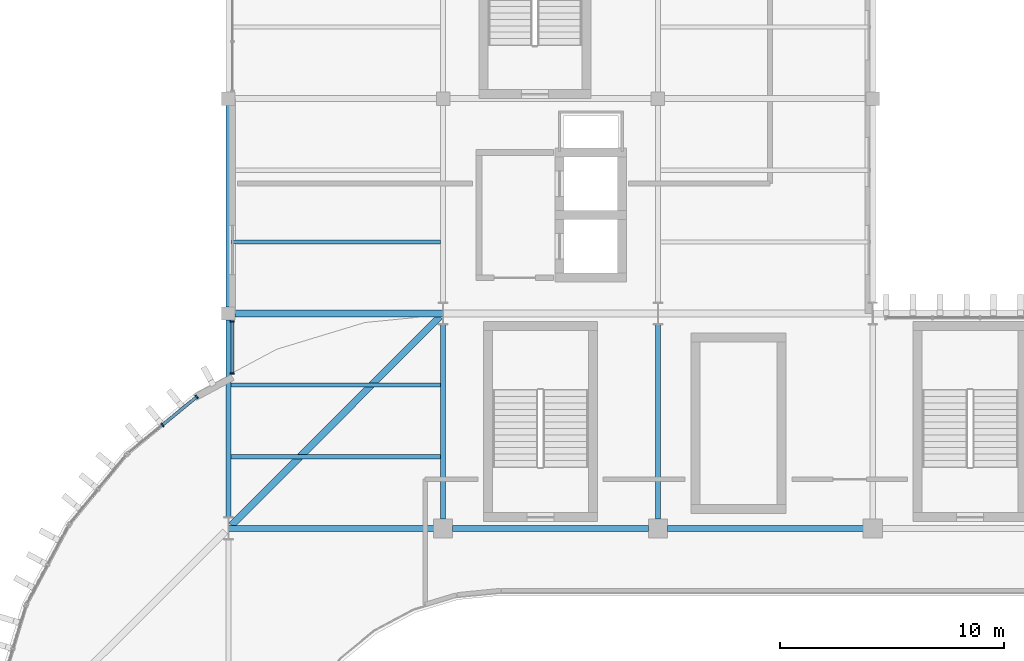
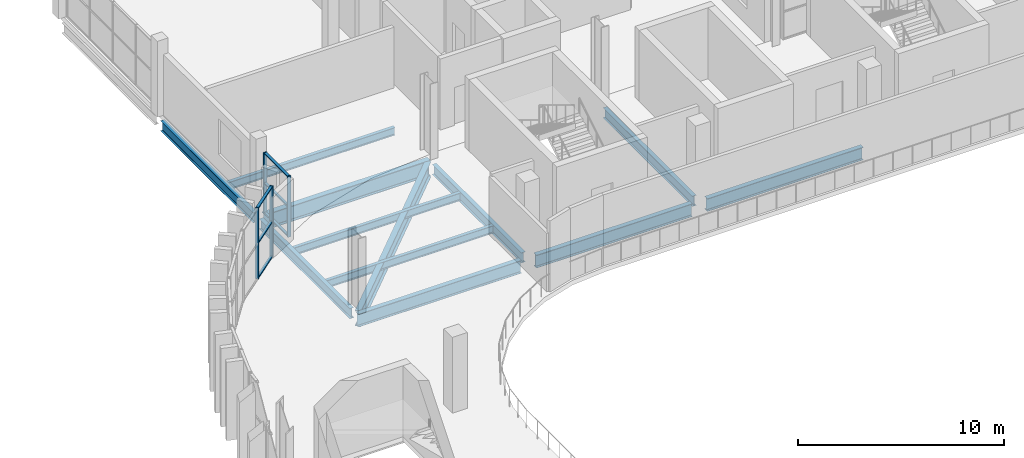
# One storey, part 20 of 92: 12 beams, 10 members, 2 elements without a shape of their own.
"""IFC4 building model written with IfcOpenShell, lengths in metres."""

from ifc_helpers import new_model, si_unit, direction, frame, origin, origin_2d, place, context, subcontext, project, spatial, rectangle, i_section, extrude, material, layer, layer_set, material_profile, profile_set, type_object, element, aggregate, save


model = new_model("IFC4")

# Units and contexts
model_context = context("Model", 3, precision=1e-05, world=origin(), true_north=direction((0.0, 1.0)))
body_context = subcontext(model_context, "Body", "Model", "MODEL_VIEW")
ifc_project = project(units=[si_unit("LENGTHUNIT", "METRE"), si_unit("AREAUNIT", "SQUARE_METRE"), si_unit("VOLUMEUNIT", "CUBIC_METRE"), si_unit("PLANEANGLEUNIT", "RADIAN"), si_unit("MASSUNIT", "GRAM", prefix="KILO")], contexts=[model_context])

# Site, building, storey
site_placement = place(None, origin())
site = spatial("IfcSite", under=ifc_project, at=site_placement, CompositionType="ELEMENT")
building_placement = place(site_placement, origin())
building = spatial("IfcBuilding", under=site, at=building_placement, Name="Caelomonte Colonnade Arena", CompositionType="ELEMENT")
storey_placement = place(building_placement, frame((0.0, 0.0, 9.60009765625)))
storey = spatial("IfcBuildingStorey", under=building, at=storey_placement, Name="L02", CompositionType="ELEMENT", Elevation=9.60009765625)

# Curtain wall, members
ifc_material_1 = material(Name="Bronze anodised aluminium and low-E glazing", Category="aluminium")
ifc_layer_1 = layer(ifc_material_1, 0.179931640625)
ifc_layer_set_1 = layer_set([ifc_layer_1], Name="Bronze anodised aluminium and low-E glazing")
curtain_wall_type_1 = type_object("IfcCurtainWallType", Name="ENV-CW-CW-L02-44-42", PredefinedType="USERDEFINED", material=ifc_layer_set_1)
curtain_wall_1_placement = place(storey_placement, origin())
curtain_wall_1 = element("IfcCurtainWall", 1, at=curtain_wall_1_placement, inside=storey, type_object=curtain_wall_type_1, Name="L02 unitized curtain wall CW-L02-0643-1102", ObjectType="UNITIZED CURTAIN WALL", PredefinedType="USERDEFINED")
ifc_material_2 = material(Name="Bronze anodised aluminium AA6063-T6", Category="aluminium")
ifc_material_profile_1 = material_profile(ifc_material_2, rectangle(XDim=0.070068359375, YDim=0.179931640625, at=origin_2d()), Name="CWM-70X180")
ifc_profile_set_1 = profile_set([ifc_material_profile_1], Name="Bronze anodised aluminium AA6063-T6")
member_type_1 = type_object("IfcMemberType", Name="ENV-CW-MULL1", PredefinedType="MULLION", material=ifc_profile_set_1)
member_1_placement = place(storey_placement, frame((65.789306640625, 111.47412109375, 0.0), z_axis=(0.0, 0.0, 1.0), x_axis=(-0.772991751994, -0.634416071163, 0.0)))
member_1 = element("IfcMember", 2, at=member_1_placement, type_object=member_type_1, Name="CW-L02-44-42 mullion 1", PredefinedType="MULLION", context=body_context, shape_type="SweptSolid", body=[
    extrude(rectangle(XDim=0.070068359375, YDim=0.179931640625, at=origin_2d()), origin(), (0.0, 0.0, 1.0), 4.219970703125),
])
member_2_placement = place(storey_placement, frame((64.256103515625, 110.2158203125, 0.0), z_axis=(0.0, 0.0, 1.0), x_axis=(-0.772991751994, -0.634416071163, 0.0)))
member_2 = element("IfcMember", 3, at=member_2_placement, type_object=member_type_1, Name="CW-L02-44-42 mullion 2", PredefinedType="MULLION", context=body_context, shape_type="SweptSolid", body=[
    extrude(rectangle(XDim=0.070068359375, YDim=0.179931640625, at=origin_2d()), origin(), (0.0, 0.0, 1.0), 4.219970703125),
])

ifc_layer_2 = layer(ifc_material_1, 0.179931640625)
ifc_layer_set_2 = layer_set([ifc_layer_2], Name="Bronze anodised aluminium and low-E glazing")
curtain_wall_type_2 = type_object("IfcCurtainWallType", Name="ENV-CW-CW-L02-29-36", PredefinedType="USERDEFINED", material=ifc_layer_set_2)
curtain_wall_2_placement = place(storey_placement, origin())
curtain_wall_2 = element("IfcCurtainWall", 4, at=curtain_wall_2_placement, inside=storey, type_object=curtain_wall_type_2, Name="L02 unitized curtain wall CW-L02-0674-1138", ObjectType="UNITIZED CURTAIN WALL", PredefinedType="USERDEFINED")
member_3_placement = place(storey_placement, frame((67.3798828125, 114.844970703125, 0.0), z_axis=(0.0, 0.0, 1.0), x_axis=(0.0, -1.0, 0.0)))
member_3 = element("IfcMember", 5, at=member_3_placement, type_object=member_type_1, Name="CW-L02-29-36 mullion 1", PredefinedType="MULLION", context=body_context, shape_type="SweptSolid", body=[
    extrude(rectangle(XDim=0.070068359375, YDim=0.179931640625, at=origin_2d()), origin(), (0.0, 0.0, 1.0), 3.61279296875),
])
member_4_placement = place(storey_placement, frame((67.3798828125, 112.52001953125, 0.0), z_axis=(0.0, 0.0, 1.0), x_axis=(0.0, -1.0, 0.0)))
member_4 = element("IfcMember", 6, at=member_4_placement, type_object=member_type_1, Name="CW-L02-29-36 mullion 2", PredefinedType="MULLION", context=body_context, shape_type="SweptSolid", body=[
    extrude(rectangle(XDim=0.070068359375, YDim=0.179931640625, at=origin_2d()), origin(), (0.0, 0.0, 1.0), 3.61279296875),
])

# Member
ifc_material_profile_2 = material_profile(ifc_material_2, rectangle(XDim=0.070068359375, YDim=0.139892578125, at=origin_2d()), Name="CWT-70X140")
ifc_profile_set_2 = profile_set([ifc_material_profile_2], Name="Bronze anodised aluminium AA6063-T6")
member_type_2 = type_object("IfcMemberType", Name="ENV-CW-TRAN1", PredefinedType="USERDEFINED", material=ifc_profile_set_2)
member_5_placement = place(storey_placement, frame((65.76220703125, 111.451904296875, 0.034912109375), z_axis=(-0.772989936128, -0.634418283662, 0.0), x_axis=(0.0, 0.0, 1.0)))
member_5 = element("IfcMember", 7, at=member_5_placement, type_object=member_type_2, Name="CW-L02-44-42 transom 1.1", ObjectType="TRANSOM", PredefinedType="USERDEFINED", context=body_context, shape_type="SweptSolid", body=[
    extrude(rectangle(XDim=0.070068359375, YDim=0.139892578125, at=origin_2d()), origin(), (0.0, 0.0, 1.0), 1.913330078125),
])

member_6_placement = place(storey_placement, frame((65.76220703125, 111.451904296875, 2.10986328125), z_axis=(-0.772989936128, -0.634418283662, 0.0), x_axis=(0.0, 0.0, 1.0)))
member_6 = element("IfcMember", 8, at=member_6_placement, type_object=member_type_2, Name="CW-L02-44-42 transom 1.2", ObjectType="TRANSOM", PredefinedType="USERDEFINED", context=body_context, shape_type="SweptSolid", body=[
    extrude(rectangle(XDim=0.070068359375, YDim=0.139892578125, at=origin_2d()), origin(), (0.0, 0.0, 1.0), 1.913330078125),
])

member_7_placement = place(storey_placement, frame((65.76220703125, 111.451904296875, 4.184814453125), z_axis=(-0.772989936128, -0.634418283662, 0.0), x_axis=(0.0, 0.0, 1.0)))
member_7 = element("IfcMember", 9, at=member_7_placement, type_object=member_type_2, Name="CW-L02-44-42 transom 1.3", ObjectType="TRANSOM", PredefinedType="USERDEFINED", context=body_context, shape_type="SweptSolid", body=[
    extrude(rectangle(XDim=0.070068359375, YDim=0.139892578125, at=origin_2d()), origin(), (0.0, 0.0, 1.0), 1.913330078125),
])

aggregate(curtain_wall_1, [member_1, member_2, member_5, member_6, member_7])

member_8_placement = place(storey_placement, frame((67.3798828125, 114.81005859375, 0.034912109375), z_axis=(0.0, -1.0, 0.0), x_axis=(0.0, 0.0, 1.0)))
member_8 = element("IfcMember", 10, at=member_8_placement, type_object=member_type_2, Name="CW-L02-29-36 transom 1.1", ObjectType="TRANSOM", PredefinedType="USERDEFINED", context=body_context, shape_type="SweptSolid", body=[
    extrude(rectangle(XDim=0.070068359375, YDim=0.139892578125, at=origin_2d()), origin(), (0.0, 0.0, 1.0), 2.255126953125),
])

member_9_placement = place(storey_placement, frame((67.3798828125, 114.81005859375, 1.806396484375), z_axis=(0.0, -1.0, 0.0), x_axis=(0.0, 0.0, 1.0)))
member_9 = element("IfcMember", 11, at=member_9_placement, type_object=member_type_2, Name="CW-L02-29-36 transom 1.2", ObjectType="TRANSOM", PredefinedType="USERDEFINED", context=body_context, shape_type="SweptSolid", body=[
    extrude(rectangle(XDim=0.070068359375, YDim=0.139892578125, at=origin_2d()), origin(), (0.0, 0.0, 1.0), 2.255126953125),
])

member_10_placement = place(storey_placement, frame((67.3798828125, 114.81005859375, 3.577880859375), z_axis=(0.0, -1.0, 0.0), x_axis=(0.0, 0.0, 1.0)))
member_10 = element("IfcMember", 12, at=member_10_placement, type_object=member_type_2, Name="CW-L02-29-36 transom 1.3", ObjectType="TRANSOM", PredefinedType="USERDEFINED", context=body_context, shape_type="SweptSolid", body=[
    extrude(rectangle(XDim=0.070068359375, YDim=0.139892578125, at=origin_2d()), origin(), (0.0, 0.0, 1.0), 2.255126953125),
])

aggregate(curtain_wall_2, [member_3, member_4, member_8, member_9, member_10])

# Beams
ifc_material_3 = material(Name="Wide-flange steel ASTM A992 Grade 50", Category="steel")
ifc_material_profile_3 = material_profile(ifc_material_3, i_section(OverallWidth=0.307861328125, OverallDepth=0.927001953125, WebThickness=0.019287109375, FlangeThickness=0.031982421875, FilletRadius=0.020263671875, at=origin_2d()), Name="W36X194")
ifc_profile_set_3 = profile_set([ifc_material_profile_3], Name="Wide-flange steel ASTM A992 Grade 50")
beam_type_1 = type_object("IfcBeamType", Name="STR-BM-EAVES2", PredefinedType="SPANDREL", material=ifc_profile_set_3)
beam_1_placement = place(storey_placement, frame((67.491943359375, 115.199951171875, -0.74365234375), z_axis=(1.0, 0.0, 0.0), x_axis=(0.0, 1.0, 0.0)))
element("IfcBeam", 13, at=beam_1_placement, inside=storey, type_object=beam_type_1, Name="L02 girder BMX-L02-0672-1152", PredefinedType="SPANDREL", context=body_context, shape_type="SweptSolid", body=[
    extrude(i_section(OverallWidth=0.307861328125, OverallDepth=0.927001953125, WebThickness=0.019287109375, FlangeThickness=0.031982421875, FilletRadius=0.020263671875, at=origin_2d()), origin(), (0.0, 0.0, 1.0), 9.296142578125),
])
beam_2_placement = place(storey_placement, frame((76.657470703125, 115.0576171875, -0.74365234375), z_axis=(-0.707097514764, -0.707116047487, 0.0), x_axis=(0.707116047487, -0.707097514764, 0.0)))
element("IfcBeam", 14, at=beam_2_placement, inside=storey, type_object=beam_type_1, Name="L02 drum corner ring girder 7", PredefinedType="SPANDREL", context=body_context, shape_type="SweptSolid", body=[
    extrude(i_section(OverallWidth=0.307861328125, OverallDepth=0.927001953125, WebThickness=0.019287109375, FlangeThickness=0.031982421875, FilletRadius=0.020263671875, at=origin_2d()), origin(), (0.0, 0.0, 1.0), 13.173583984375),
])
ifc_material_profile_4 = material_profile(ifc_material_3, i_section(OverallWidth=0.228271484375, OverallDepth=0.607177734375, WebThickness=0.01123046875, FlangeThickness=0.017333984375, FilletRadius=0.0126953125, at=origin_2d()), Name="W24X76")
ifc_profile_set_4 = profile_set([ifc_material_profile_4], Name="Wide-flange steel ASTM A992 Grade 50")
beam_type_2 = type_object("IfcBeamType", Name="STR-BM-GIRD24", PredefinedType="BEAM", material=ifc_profile_set_4)
beam_3_placement = place(storey_placement, frame((67.199951171875, 106.097412109375, -0.58349609375), z_axis=(0.0, 1.0, 0.0), x_axis=(-1.0, 0.0, 0.0)))
element("IfcBeam", 15, at=beam_3_placement, inside=storey, type_object=beam_type_2, Name="L02 girder BMY-L02-0672-1056", PredefinedType="BEAM", context=body_context, shape_type="SweptSolid", body=[
    extrude(i_section(OverallWidth=0.228271484375, OverallDepth=0.607177734375, WebThickness=0.01123046875, FlangeThickness=0.017333984375, FilletRadius=0.0126953125, at=origin_2d()), origin(), (0.0, 0.0, 1.0), 8.810546875),
])
beam_4_placement = place(storey_placement, frame((67.199951171875, 115.491943359375, -0.58349609375), z_axis=(0.0, 1.0, 0.0), x_axis=(-1.0, 0.0, 0.0)))
element("IfcBeam", 16, at=beam_4_placement, inside=storey, type_object=beam_type_2, Name="L02 girder BMY-L02-0672-1152", PredefinedType="BEAM", context=body_context, shape_type="SweptSolid", body=[
    extrude(i_section(OverallWidth=0.228271484375, OverallDepth=0.607177734375, WebThickness=0.01123046875, FlangeThickness=0.017333984375, FilletRadius=0.0126953125, at=origin_2d()), origin(), (0.0, 0.0, 1.0), 9.01611328125),
])
for number, where, z_axis, x_axis, name in (
    (17, (76.800048828125, 106.01708984375, -0.58349609375), (0.0, 1.0, 0.0), (-1.0, 0.0, 0.0), "L02 girder BMY-L02-0768-1056"),
    (18, (86.39990234375, 106.01708984375, -0.58349609375), (0.0, 1.0, 0.0), (-1.0, 0.0, 0.0), "L02 girder BMY-L02-0864-1056"),
):
    element("IfcBeam", number, at=place(storey_placement, frame(where, z_axis=z_axis, x_axis=x_axis)), inside=storey, type_object=beam_type_2, Name=name, PredefinedType="BEAM", context=body_context, shape_type="SweptSolid", body=[
        extrude(i_section(OverallWidth=0.228271484375, OverallDepth=0.607177734375, WebThickness=0.01123046875, FlangeThickness=0.017333984375, FilletRadius=0.0126953125, at=origin_2d()), origin(), (0.0, 0.0, 1.0), 8.685546875),
    ])
ifc_material_profile_5 = material_profile(ifc_material_3, i_section(OverallWidth=0.2666015625, OverallDepth=0.761962890625, WebThickness=0.014404296875, FlangeThickness=0.021484375, FilletRadius=0.0166015625, at=origin_2d()), Name="W30X116")
ifc_profile_set_5 = profile_set([ifc_material_profile_5], Name="Wide-flange steel ASTM A992 Grade 50")
beam_type_3 = type_object("IfcBeamType", Name="STR-BM-GIRD30", PredefinedType="BEAM", material=ifc_profile_set_5)
beam_5_placement = place(storey_placement, frame((67.2119140625, 105.60009765625, -0.6611328125), z_axis=(1.0, 0.0, 0.0), x_axis=(0.0, 1.0, 0.0)))
element("IfcBeam", 19, at=beam_5_placement, inside=storey, type_object=beam_type_3, Name="L02 girder BMX-L02-0672-1056", PredefinedType="BEAM", context=body_context, shape_type="SweptSolid", body=[
    extrude(i_section(OverallWidth=0.2666015625, OverallDepth=0.761962890625, WebThickness=0.014404296875, FlangeThickness=0.021484375, FilletRadius=0.0166015625, at=origin_2d()), origin(), (0.0, 0.0, 1.0), 9.171142578125),
])
beam_6_placement = place(storey_placement, frame((77.217041015625, 105.60009765625, -0.6611328125), z_axis=(1.0, 0.0, 0.0), x_axis=(0.0, 1.0, 0.0)))
element("IfcBeam", 20, at=beam_6_placement, inside=storey, type_object=beam_type_3, Name="L02 girder BMX-L02-0768-1056", PredefinedType="BEAM", context=body_context, shape_type="SweptSolid", body=[
    extrude(i_section(OverallWidth=0.2666015625, OverallDepth=0.761962890625, WebThickness=0.014404296875, FlangeThickness=0.021484375, FilletRadius=0.0166015625, at=origin_2d()), origin(), (0.0, 0.0, 1.0), 8.765869140625),
])
beam_7_placement = place(storey_placement, frame((86.81689453125, 105.60009765625, -0.6611328125), z_axis=(1.0, 0.0, 0.0), x_axis=(0.0, 1.0, 0.0)))
element("IfcBeam", 21, at=beam_7_placement, inside=storey, type_object=beam_type_3, Name="L02 girder BMX-L02-0864-1056", PredefinedType="BEAM", context=body_context, shape_type="SweptSolid", body=[
    extrude(i_section(OverallWidth=0.2666015625, OverallDepth=0.761962890625, WebThickness=0.014404296875, FlangeThickness=0.021484375, FilletRadius=0.0166015625, at=origin_2d()), origin(), (0.0, 0.0, 1.0), 8.76611328125),
])
ifc_material_profile_6 = material_profile(ifc_material_3, i_section(OverallWidth=0.1904296875, OverallDepth=0.457275390625, WebThickness=0.009033203125, FlangeThickness=0.014404296875, FilletRadius=0.01025390625, at=origin_2d()), Name="W18X50")
ifc_profile_set_6 = profile_set([ifc_material_profile_6], Name="Wide-flange steel ASTM A992 Grade 50")
beam_type_4 = type_object("IfcBeamType", Name="STR-BM-JOIST18", PredefinedType="JOIST", material=ifc_profile_set_6)
for number, where, z_axis, x_axis, name in (
    (22, (67.30908203125, 108.800048828125, -0.5087890625), (1.0, 0.0, 0.0), (0.0, 1.0, 0.0), "L02 secondary joist 1"),
    (23, (67.30908203125, 112.0, -0.5087890625), (1.0, 0.0, 0.0), (0.0, 1.0, 0.0), "L02 secondary joist 2"),
    (24, (67.30908203125, 118.39990234375, -0.5087890625), (1.0, 0.0, 0.0), (0.0, 1.0, 0.0), "L02 secondary joist 1"),
):
    element("IfcBeam", number, at=place(storey_placement, frame(where, z_axis=z_axis, x_axis=x_axis)), inside=storey, type_object=beam_type_4, Name=name, PredefinedType="JOIST", context=body_context, shape_type="SweptSolid", body=[
        extrude(i_section(OverallWidth=0.1904296875, OverallDepth=0.457275390625, WebThickness=0.009033203125, FlangeThickness=0.014404296875, FilletRadius=0.01025390625, at=origin_2d()), origin(), (0.0, 0.0, 1.0), 9.3818359375),
    ])

save(model, "model.ifc")
